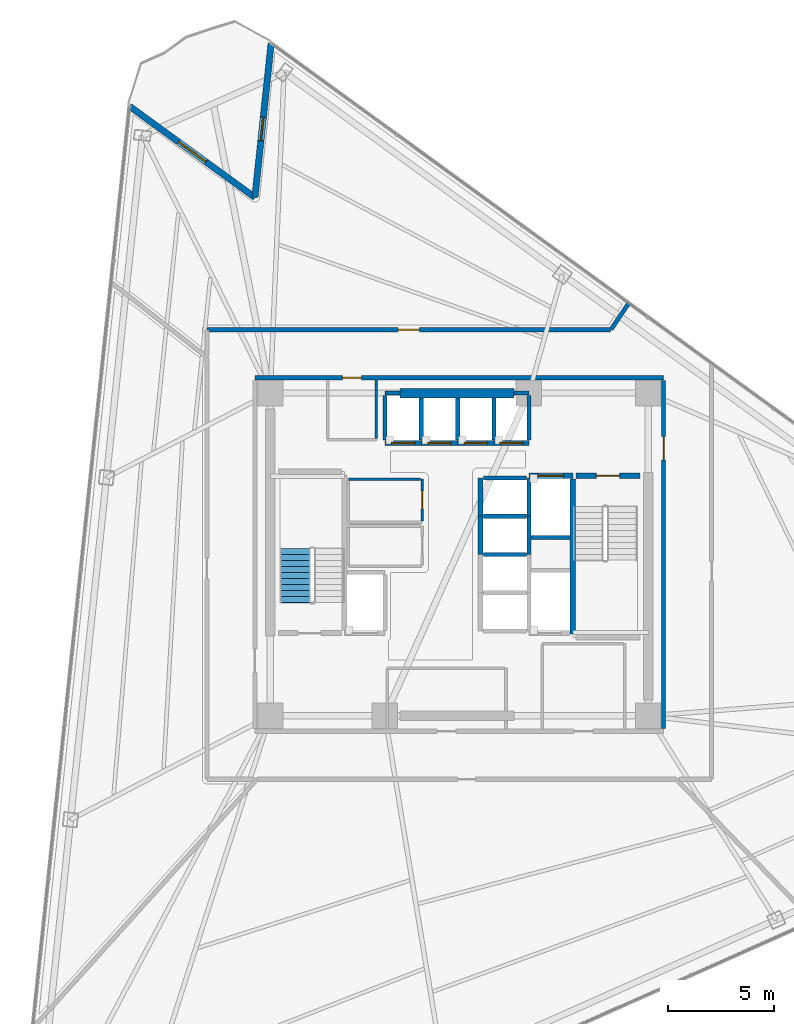
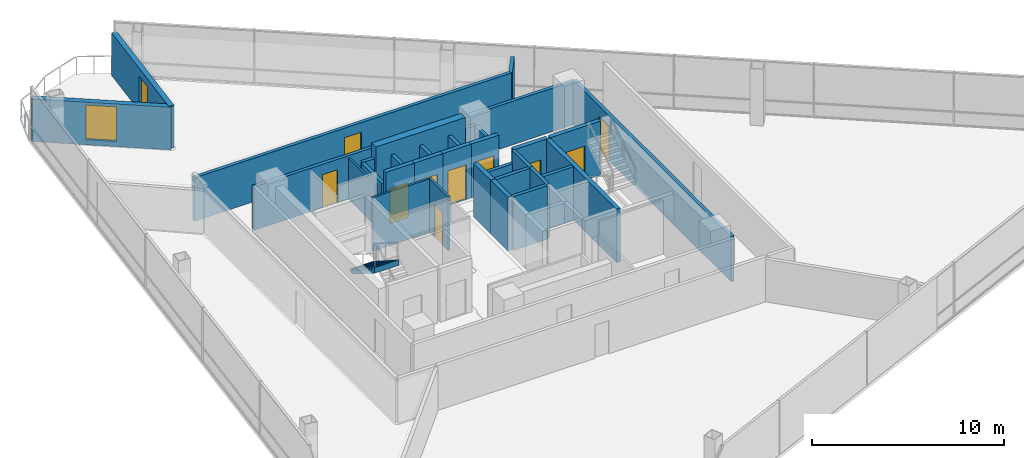
# One storey, part 12 of 16: 32 walls, 11 doors, 1 stair flight, 1 window, 12 openings, 1 element without a shape of its own.
"""IFC4 building model written with IfcOpenShell, lengths in metres."""

from ifc_helpers import new_model, si_unit, direction, frame, frame_2d, origin, place, context, subcontext, project, spatial, polyline, rectangle, outline, extrude, material, layer, layer_set, type_object, element, fill, aggregate, save


model = new_model("IFC4")

# Units and contexts
model_context = context("Model", 3, precision=1e-05, world=origin(), true_north=direction((0.0, 1.0)))
body_context = subcontext(model_context, "Body", "Model", "MODEL_VIEW")
ifc_project = project(units=[si_unit("LENGTHUNIT", "METRE"), si_unit("AREAUNIT", "SQUARE_METRE"), si_unit("VOLUMEUNIT", "CUBIC_METRE"), si_unit("PLANEANGLEUNIT", "RADIAN"), si_unit("MASSUNIT", "GRAM", prefix="KILO")], contexts=[model_context])

# Site, building, storey
site_placement = place(None, origin())
site = spatial("IfcSite", under=ifc_project, at=site_placement, CompositionType="ELEMENT")
building_placement = place(site_placement, origin())
building = spatial("IfcBuilding", under=site, at=building_placement, Name="Tharavind Bronze Gate", CompositionType="ELEMENT")
storey_placement = place(building_placement, frame((0.0, 0.0, 123.25)))
storey = spatial("IfcBuildingStorey", under=building, at=storey_placement, Name="L31", CompositionType="ELEMENT", Elevation=123.25)

# Wall, opening, door
ifc_material_1 = material(Name="Concrete C40/50", Category="concrete")
ifc_layer_1 = layer(ifc_material_1, 0.300048828125)
ifc_layer_set_1 = layer_set([ifc_layer_1], Name="Concrete C40/50")
wall_type_1 = type_object("IfcWallType", Name="EXTERIOR SPANDREL WALL 300", PredefinedType="STANDARD", material=ifc_layer_set_1)
wall_1_placement = place(storey_placement, frame((-8.85888671875, 24.07080078125, 0.0), z_axis=(0.0, 0.0, 1.0), x_axis=(-0.104512431924, -0.9945235802, 0.0)))
wall_1 = element("IfcWall", 1, at=wall_1_placement, inside=storey, type_object=wall_type_1, Name="L31 notch cheek wall 1A", PredefinedType="STANDARD", context=body_context, shape_type="SweptSolid", body=[
    extrude(rectangle(XDim=7.300048828125, YDim=0.300048828125, at=frame_2d((3.64990234375, 0.0))), origin(), (0.0, 0.0, 1.0), 2.705078125),
])
opening_1_placement = place(wall_1_placement, frame((3.508056640625, 0.0, 0.0)))
opening_1 = element("IfcOpeningElement", 2, at=opening_1_placement, cuts=wall_1, Name="Opening ED04", PredefinedType="OPENING", context=body_context, shape_type="SweptSolid", body=[
    extrude(rectangle(XDim=1.10009765625, YDim=2.199951171875, at=frame_2d((0.550048828125, 1.10009765625))), frame((0.0, 0.15990234375, 0.0), z_axis=(0.0, -1.0, 0.0), x_axis=(1.0, 0.0, 0.0)), (0.0, 0.0, 1.0), 0.320048828125),
])
ifc_material_2 = material(Name="Bronze Aluminium & Toughened Glass", Category="aluminium")
door_type_1 = type_object("IfcDoorType", Name="TREE BALCONY ACCESS DOOR 1100X2200", OperationType="SINGLE_SWING_LEFT", PredefinedType="DOOR", material=ifc_material_2)
door_1_placement = place(opening_1_placement, frame((1.10009765625, 0.0, 0.0), z_axis=(0.0, 0.0, 1.0), x_axis=(-1.0, 0.0, 0.0)))
door_1 = element("IfcDoor", 3, at=door_1_placement, inside=storey, type_object=door_type_1, Name="L31 tree balcony access door", OperationType="SINGLE_SWING_LEFT", OverallHeight=2.199951171875, OverallWidth=1.10009765625, PredefinedType="DOOR", context=body_context, shape_type="SweptSolid", body=[
    extrude(rectangle(XDim=1.10009765625, YDim=2.199951171875, at=frame_2d((0.550048828125, 1.10009765625))), frame((0.0, 0.02490234375, 0.0), z_axis=(0.0, -1.0, 0.0), x_axis=(1.0, 0.0, 0.0)), (0.0, 0.0, 1.0), 0.050048828125),
])
fill(opening_1, door_1)

# Wall, opening, window
wall_2_placement = place(storey_placement, frame((-9.621826171875, 16.810791015625, 0.0), z_axis=(0.0, 0.0, 1.0), x_axis=(-0.809002104592, 0.587805745775, 0.0)))
wall_2 = element("IfcWall", 4, at=wall_2_placement, inside=storey, type_object=wall_type_1, Name="L31 notch cheek wall 1B", PredefinedType="STANDARD", context=body_context, shape_type="SweptSolid", body=[
    extrude(rectangle(XDim=7.300048828125, YDim=0.300048828125, at=frame_2d((3.64990234375, 0.0))), origin(), (0.0, 0.0, 1.0), 2.705078125),
])
opening_2_placement = place(wall_2_placement, frame((2.85009765625, 0.0, 0.324951171875)))
opening_2 = element("IfcOpeningElement", 5, at=opening_2_placement, cuts=wall_2, Name="Opening W05", PredefinedType="OPENING", context=body_context, shape_type="SweptSolid", body=[
    extrude(rectangle(XDim=1.60009765625, YDim=2.199951171875, at=frame_2d((0.800048828125, 1.10009765625))), frame((0.0, 0.15990234375, 0.0), z_axis=(0.0, -1.0, 0.0), x_axis=(1.0, 0.0, 0.0)), (0.0, 0.0, 1.0), 0.320048828125),
])
ifc_material_3 = material(Name="Bronze Aluminium & Low-E Glass", Category="aluminium")
window_type = type_object("IfcWindowType", Name="OFFICE NOTCH BRONZE WINDOW 1600X2200", PartitioningType="DOUBLE_PANEL_VERTICAL", PredefinedType="WINDOW", material=ifc_material_3)
window_placement = place(opening_2_placement, origin())
window = element("IfcWindow", 6, at=window_placement, inside=storey, type_object=window_type, Name="L31 exterior window WL-L31-NCB1-01", OverallHeight=2.199951171875, OverallWidth=1.60009765625, PartitioningType="SINGLE_PANEL", PredefinedType="WINDOW", context=body_context, shape_type="SweptSolid", body=[
    extrude(rectangle(XDim=1.60009765625, YDim=2.199951171875, at=frame_2d((0.800048828125, 1.10009765625))), frame((0.0, 0.030029296875, 0.0), z_axis=(0.0, -1.0, 0.0), x_axis=(1.0, 0.0, 0.0)), (0.0, 0.0, 1.0), 0.06005859375),
])
fill(opening_2, window)

# Wall, opening, door
ifc_material_4 = material(Name="Aerated Concrete Block", Category="concrete")
ifc_layer_2 = layer(ifc_material_4, 0.199951171875)
ifc_layer_set_2 = layer_set([ifc_layer_2], Name="Aerated Concrete Block")
wall_type_2 = type_object("IfcWallType", Name="FIRE RATED PARTITION 200", PredefinedType="PARTITIONING", material=ifc_layer_set_2)
wall_3_placement = place(storey_placement, frame((9.6201171875, 8.320068359375, 0.0), z_axis=(0.0, 0.0, 1.0), x_axis=(-1.0, 0.0, 0.0)))
wall_3 = element("IfcWall", 7, at=wall_3_placement, inside=storey, type_object=wall_type_2, Name="L31 north core corridor wall", PredefinedType="PARTITIONING", context=body_context, shape_type="SweptSolid", body=[
    extrude(rectangle(XDim=19.240234375, YDim=0.199951171875, at=frame_2d((9.6201171875, 0.0))), origin(), (0.0, 0.0, 1.0), 2.7548828125),
])
opening_3_placement = place(wall_3_placement, frame((14.219970703125, 0.0, 0.0)))
opening_3 = element("IfcOpeningElement", 8, at=opening_3_placement, cuts=wall_3, Name="Opening ID07", PredefinedType="OPENING", context=body_context, shape_type="SweptSolid", body=[
    extrude(rectangle(XDim=0.89990234375, YDim=2.10009765625, at=frame_2d((0.449951171875, 1.050048828125))), frame((0.0, 0.11009765625, 0.0), z_axis=(0.0, -1.0, 0.0), x_axis=(1.0, 0.0, 0.0)), (0.0, 0.0, 1.0), 0.219951171875),
])
ifc_material_5 = material(Name="Galvanised Fire Steel", Category="steel")
door_type_2 = type_object("IfcDoorType", Name="PLANT AND RISER FIRE DOOR 900X2100", OperationType="SINGLE_SWING_LEFT", PredefinedType="DOOR", material=ifc_material_5)
door_2_placement = place(opening_3_placement, origin())
door_2 = element("IfcDoor", 9, at=door_2_placement, inside=storey, type_object=door_type_2, Name="L31 Electrical Switch Cupboard fire door", OperationType="SINGLE_SWING_LEFT", OverallHeight=2.10009765625, OverallWidth=0.89990234375, PredefinedType="DOOR", context=body_context, shape_type="SweptSolid", body=[
    extrude(rectangle(XDim=0.89990234375, YDim=2.10009765625, at=frame_2d((0.449951171875, 1.050048828125))), frame((0.0, 0.02490234375, 0.0), z_axis=(0.0, -1.0, 0.0), x_axis=(1.0, 0.0, 0.0)), (0.0, 0.0, 1.0), 0.050048828125),
])
fill(opening_3, door_2)

wall_4_placement = place(storey_placement, frame((9.6201171875, -8.199951171875, 0.0), z_axis=(0.0, 0.0, 1.0), x_axis=(0.0, 1.0, 0.0)))
wall_4 = element("IfcWall", 10, at=wall_4_placement, inside=storey, type_object=wall_type_2, Name="L31 east core corridor wall", PredefinedType="PARTITIONING", context=body_context, shape_type="SweptSolid", body=[
    extrude(rectangle(XDim=16.39990234375, YDim=0.199951171875, at=frame_2d((8.199951171875, 0.0))), origin(), (0.0, 0.0, 1.0), 2.85498046875),
])
opening_4_placement = place(wall_4_placement, frame((12.64990234375, 0.0, 0.0)))
opening_4 = element("IfcOpeningElement", 11, at=opening_4_placement, cuts=wall_4, Name="Opening ID01", PredefinedType="OPENING", context=body_context, shape_type="SweptSolid", body=[
    extrude(rectangle(XDim=1.10009765625, YDim=2.14990234375, at=frame_2d((0.550048828125, 1.074951171875))), frame((0.0, 0.11009765625, 0.0), z_axis=(0.0, -1.0, 0.0), x_axis=(1.0, 0.0, 0.0)), (0.0, 0.0, 1.0), 0.219951171875),
])
ifc_material_6 = material(Name="Fire-Rated Steel", Category="steel")
door_type_3 = type_object("IfcDoorType", Name="STAIR CORE FIRE DOOR 1100X2150", OperationType="SINGLE_SWING_LEFT", PredefinedType="DOOR", material=ifc_material_6)
door_3_placement = place(opening_4_placement, frame((1.10009765625, 0.0, 0.0), z_axis=(0.0, 0.0, 1.0), x_axis=(-1.0, 0.0, 0.0)))
door_3 = element("IfcDoor", 12, at=door_3_placement, inside=storey, type_object=door_type_3, Name="L31 north east stair lobby fire door", OperationType="SINGLE_SWING_LEFT", OverallHeight=2.14990234375, OverallWidth=1.10009765625, PredefinedType="DOOR", context=body_context, shape_type="SweptSolid", body=[
    extrude(rectangle(XDim=1.10009765625, YDim=2.14990234375, at=frame_2d((0.550048828125, 1.074951171875))), frame((0.0, 0.02490234375, 0.0), z_axis=(0.0, -1.0, 0.0), x_axis=(1.0, 0.0, 0.0)), (0.0, 0.0, 1.0), 0.050048828125),
])
fill(opening_4, door_3)

# Wall
wall_5_placement = place(storey_placement, frame((7.96923828125, 11.814697265625, 0.0), z_axis=(0.0, 0.0, 1.0), x_axis=(-0.559234205494, -0.829009712492, 0.0)))
element("IfcWall", 13, at=wall_5_placement, inside=storey, type_object=wall_type_2, Name="L31 Innovation Maker Lab partition", PredefinedType="PARTITIONING", context=body_context, shape_type="SweptSolid", body=[
    extrude(rectangle(XDim=1.47607421875, YDim=0.199951171875, at=frame_2d((0.738037109375, 0.0))), origin(), (0.0, 0.0, 1.0), 2.705078125),
])

# Wall, opening, door
wall_6_placement = place(storey_placement, frame((7.123046875, 10.580078125, 0.0), z_axis=(0.0, 0.0, 1.0), x_axis=(-1.0, 0.0, 0.0)))
wall_6 = element("IfcWall", 14, at=wall_6_placement, inside=storey, type_object=wall_type_2, Name="L31 Innovation Maker Lab partition", PredefinedType="PARTITIONING", context=body_context, shape_type="SweptSolid", body=[
    extrude(rectangle(XDim=19.00244140625, YDim=0.199951171875, at=frame_2d((9.501220703125, 0.0))), origin(), (0.0, 0.0, 1.0), 2.7548828125),
])
opening_5_placement = place(wall_6_placement, frame((9.0009765625, 0.0, 0.0)))
opening_5 = element("IfcOpeningElement", 15, at=opening_5_placement, cuts=wall_6, Name="Opening ID04", PredefinedType="OPENING", context=body_context, shape_type="SweptSolid", body=[
    extrude(rectangle(XDim=1.0, YDim=2.14990234375, at=frame_2d((0.5, 1.074951171875))), frame((0.0, 0.11009765625, 0.0), z_axis=(0.0, -1.0, 0.0), x_axis=(1.0, 0.0, 0.0)), (0.0, 0.0, 1.0), 0.219951171875),
])
ifc_material_7 = material(Name="Bronze Framed Acoustic Timber", Category="wood")
door_type_4 = type_object("IfcDoorType", Name="OFFICE TENANCY DOOR 1000X2150", OperationType="SINGLE_SWING_RIGHT", PredefinedType="DOOR", material=ifc_material_7)
door_4_placement = place(opening_5_placement, origin())
door_4 = element("IfcDoor", 16, at=door_4_placement, inside=storey, type_object=door_type_4, Name="L31 Innovation Maker Lab door", OperationType="SINGLE_SWING_RIGHT", OverallHeight=2.14990234375, OverallWidth=1.0, PredefinedType="DOOR", context=body_context, shape_type="SweptSolid", body=[
    extrude(rectangle(XDim=1.0, YDim=2.14990234375, at=frame_2d((0.5, 1.074951171875))), frame((0.0, 0.02490234375, 0.0), z_axis=(0.0, -1.0, 0.0), x_axis=(1.0, 0.0, 0.0)), (0.0, 0.0, 1.0), 0.050048828125),
])
fill(opening_5, door_4)

ifc_material_8 = material(Name="Metal Stud Gypsum Partition", Category="gypsum")
ifc_layer_3 = layer(ifc_material_8, 0.1201171875)
ifc_layer_set_3 = layer_set([ifc_layer_3], Name="Metal Stud Gypsum Partition")
wall_type_3 = type_object("IfcWallType", Name="INTERIOR PARTITION WALL 120", PredefinedType="PARTITIONING", material=ifc_layer_set_3)
wall_7_placement = place(storey_placement, frame((-1.75, 1.5849609375, 0.0), z_axis=(0.0, 0.0, 1.0), x_axis=(0.0, 1.0, 0.0)))
wall_7 = element("IfcWall", 17, at=wall_7_placement, inside=storey, type_object=wall_type_3, Name="L31 Cleaner Store Room partition 2", PredefinedType="PARTITIONING", context=body_context, shape_type="SweptSolid", body=[
    extrude(rectangle(XDim=1.965087890625, YDim=0.1201171875, at=frame_2d((0.982421875, 0.0))), origin(), (0.0, 0.0, 1.0), 3.409912109375),
])
opening_6_placement = place(wall_7_placement, frame((0.556884765625, 0.0, 0.0)))
opening_6 = element("IfcOpeningElement", 18, at=opening_6_placement, cuts=wall_7, Name="Opening ID06", PredefinedType="OPENING", context=body_context, shape_type="SweptSolid", body=[
    extrude(rectangle(XDim=0.85009765625, YDim=2.10009765625, at=frame_2d((0.425048828125, 1.050048828125))), frame((0.0, 0.07005859375, 0.0), z_axis=(0.0, -1.0, 0.0), x_axis=(1.0, 0.0, 0.0)), (0.0, 0.0, 1.0), 0.1401171875),
])
ifc_material_9 = material(Name="Moisture-Resistant Timber", Category="wood")
door_type_5 = type_object("IfcDoorType", Name="BATHROOM PRIVACY DOOR 850X2100", OperationType="SINGLE_SWING_RIGHT", PredefinedType="DOOR", material=ifc_material_9)
door_5_placement = place(opening_6_placement, frame((0.85009765625, 0.0, 0.0), z_axis=(0.0, 0.0, 1.0), x_axis=(-1.0, 0.0, 0.0)))
door_5 = element("IfcDoor", 19, at=door_5_placement, inside=storey, type_object=door_type_5, Name="L31 Cleaner Store Room door", OperationType="SINGLE_SWING_RIGHT", OverallHeight=2.10009765625, OverallWidth=0.85009765625, PredefinedType="DOOR", context=body_context, shape_type="SweptSolid", body=[
    extrude(rectangle(XDim=0.85009765625, YDim=2.10009765625, at=frame_2d((0.425048828125, 1.050048828125))), frame((0.0, 0.02490234375, 0.0), z_axis=(0.0, -1.0, 0.0), x_axis=(1.0, 0.0, 0.0)), (0.0, 0.0, 1.0), 0.050048828125),
])
fill(opening_6, door_5)

# Walls
wall_8_placement = place(storey_placement, frame((-1.81494140625, 3.550048828125, 0.0), z_axis=(0.0, 0.0, 1.0), x_axis=(-1.0, 0.0, 0.0)))
element("IfcWall", 20, at=wall_8_placement, inside=storey, type_object=wall_type_3, Name="L31 Cleaner Store Room partition 3", PredefinedType="PARTITIONING", context=body_context, shape_type="SweptSolid", body=[
    extrude(rectangle(XDim=3.405029296875, YDim=0.1201171875, at=frame_2d((1.70263671875, 0.0))), origin(), (0.0, 0.0, 1.0), 3.409912109375),
])
wall_9_placement = place(storey_placement, frame((-3.89990234375, 5.465087890625, 0.0), z_axis=(0.0, 0.0, 1.0), x_axis=(0.0, 1.0, 0.0)))
element("IfcWall", 21, at=wall_9_placement, inside=storey, type_object=wall_type_3, Name="L31 Electrical Switch Cupboard partition 2", PredefinedType="PARTITIONING", context=body_context, shape_type="SweptSolid", body=[
    extrude(rectangle(XDim=2.75, YDim=0.1201171875, at=frame_2d((1.375, 0.0))), origin(), (0.0, 0.0, 1.0), 2.60498046875),
])
ifc_material_10 = material(Name="Concrete C50/60", Category="concrete")
ifc_layer_4 = layer(ifc_material_10, 0.25)
ifc_layer_set_4 = layer_set([ifc_layer_4], Name="Concrete C50/60")
wall_type_4 = type_object("IfcWallType", Name="RC CORE SHEAR WALL 250", PredefinedType="SHEAR", material=ifc_layer_set_4)
wall_10_placement = place(storey_placement, frame((5.35009765625, -3.75, 0.0), z_axis=(0.0, 0.0, 1.0), x_axis=(0.0, 1.0, 0.0)))
element("IfcWall", 22, at=wall_10_placement, inside=storey, type_object=wall_type_4, Name="L31 ST2 shaft west wall", PredefinedType="SHEAR", context=body_context, shape_type="SweptSolid", body=[
    extrude(rectangle(XDim=7.300048828125, YDim=0.25, at=frame_2d((3.64990234375, 0.0))), origin(), (0.0, 0.0, 1.0), 3.409912109375),
])

# Wall, opening, door
wall_11_placement = place(storey_placement, frame((5.5, 3.699951171875, 0.0), z_axis=(0.0, 0.0, 1.0), x_axis=(1.0, 0.0, 0.0)))
wall_11 = element("IfcWall", 23, at=wall_11_placement, inside=storey, type_object=wall_type_4, Name="L31 ST2 shaft north wall", PredefinedType="SHEAR", context=body_context, shape_type="SweptSolid", body=[
    extrude(rectangle(XDim=3.0, YDim=0.25, at=frame_2d((1.5, 0.0))), origin(), (0.0, 0.0, 1.0), 3.409912109375),
])
opening_7_placement = place(wall_11_placement, frame((0.949951171875, 0.0, 0.0)))
opening_7 = element("IfcOpeningElement", 24, at=opening_7_placement, cuts=wall_11, Name="Opening ID01", PredefinedType="OPENING", context=body_context, shape_type="SweptSolid", body=[
    extrude(rectangle(XDim=1.10009765625, YDim=2.14990234375, at=frame_2d((0.550048828125, 1.074951171875))), frame((0.0, 0.135, 0.0), z_axis=(0.0, -1.0, 0.0), x_axis=(1.0, 0.0, 0.0)), (0.0, 0.0, 1.0), 0.27),
])
door_6_placement = place(opening_7_placement, frame((1.10009765625, 0.0, 0.0), z_axis=(0.0, 0.0, 1.0), x_axis=(-1.0, 0.0, 0.0)))
door_6 = element("IfcDoor", 25, at=door_6_placement, inside=storey, type_object=door_type_3, Name="L31 exit stair ST2 fire door", OperationType="SINGLE_SWING_LEFT", OverallHeight=2.14990234375, OverallWidth=1.10009765625, PredefinedType="DOOR", context=body_context, shape_type="SweptSolid", body=[
    extrude(rectangle(XDim=1.10009765625, YDim=2.14990234375, at=frame_2d((0.550048828125, 1.074951171875))), frame((0.0, 0.02490234375, 0.0), z_axis=(0.0, -1.0, 0.0), x_axis=(1.0, 0.0, 0.0)), (0.0, 0.0, 1.0), 0.050048828125),
])
fill(opening_7, door_6)

wall_12_placement = place(storey_placement, frame((-3.5, 5.25, 0.0), z_axis=(0.0, 0.0, 1.0), x_axis=(1.0, 0.0, 0.0)))
wall_12 = element("IfcWall", 26, at=wall_12_placement, inside=storey, type_object=wall_type_4, Name="L31 lift PL5 shaft front wall", PredefinedType="SHEAR", context=body_context, shape_type="SweptSolid", body=[
    extrude(rectangle(XDim=1.71240234375, YDim=0.25, at=frame_2d((0.856201171875, 0.0))), origin(), (0.0, 0.0, 1.0), 3.409912109375),
])
opening_8_placement = place(wall_12_placement, frame((0.305908203125, 0.0, 0.0)))
opening_8 = element("IfcOpeningElement", 27, at=opening_8_placement, cuts=wall_12, Name="Opening LD01", PredefinedType="OPENING", context=body_context, shape_type="SweptSolid", body=[
    extrude(rectangle(XDim=1.10009765625, YDim=2.199951171875, at=frame_2d((0.550048828125, 1.10009765625))), frame((0.0, 0.135, 0.0), z_axis=(0.0, -1.0, 0.0), x_axis=(1.0, 0.0, 0.0)), (0.0, 0.0, 1.0), 0.27),
])
ifc_material_11 = material(Name="Brushed Bronze Stainless Steel", Category="steel")
door_type_6 = type_object("IfcDoorType", Name="LIFT LANDING SLIDING DOOR 1100X2200", OperationType="SLIDING_TO_LEFT", PredefinedType="DOOR", material=ifc_material_11)
door_7_placement = place(opening_8_placement, origin())
door_7 = element("IfcDoor", 28, at=door_7_placement, inside=storey, type_object=door_type_6, Name="L31 lift PL5 sliding landing door", OperationType="SLIDING_TO_LEFT", OverallHeight=2.199951171875, OverallWidth=1.10009765625, PredefinedType="DOOR", context=body_context, shape_type="SweptSolid", body=[
    extrude(rectangle(XDim=1.10009765625, YDim=2.199951171875, at=frame_2d((0.550048828125, 1.10009765625))), frame((0.0, 0.02490234375, 0.0), z_axis=(0.0, -1.0, 0.0), x_axis=(1.0, 0.0, 0.0)), (0.0, 0.0, 1.0), 0.050048828125),
])
fill(opening_8, door_7)

wall_13_placement = place(storey_placement, frame((-1.78759765625, 5.25, 0.0), z_axis=(0.0, 0.0, 1.0), x_axis=(1.0, 0.0, 0.0)))
wall_13 = element("IfcWall", 29, at=wall_13_placement, inside=storey, type_object=wall_type_4, Name="L31 lift PL6 shaft front wall", PredefinedType="SHEAR", context=body_context, shape_type="SweptSolid", body=[
    extrude(rectangle(XDim=1.712646484375, YDim=0.25, at=frame_2d((0.8564453125, 0.0))), origin(), (0.0, 0.0, 1.0), 3.409912109375),
])
opening_9_placement = place(wall_13_placement, frame((0.305908203125, 0.0, 0.0)))
opening_9 = element("IfcOpeningElement", 30, at=opening_9_placement, cuts=wall_13, Name="Opening LD01", PredefinedType="OPENING", context=body_context, shape_type="SweptSolid", body=[
    extrude(rectangle(XDim=1.10009765625, YDim=2.199951171875, at=frame_2d((0.550048828125, 1.10009765625))), frame((0.0, 0.135, 0.0), z_axis=(0.0, -1.0, 0.0), x_axis=(1.0, 0.0, 0.0)), (0.0, 0.0, 1.0), 0.27),
])
door_8_placement = place(opening_9_placement, origin())
door_8 = element("IfcDoor", 31, at=door_8_placement, inside=storey, type_object=door_type_6, Name="L31 lift PL6 sliding landing door", OperationType="SLIDING_TO_LEFT", OverallHeight=2.199951171875, OverallWidth=1.10009765625, PredefinedType="DOOR", context=body_context, shape_type="SweptSolid", body=[
    extrude(rectangle(XDim=1.10009765625, YDim=2.199951171875, at=frame_2d((0.550048828125, 1.10009765625))), frame((0.0, 0.02490234375, 0.0), z_axis=(0.0, -1.0, 0.0), x_axis=(1.0, 0.0, 0.0)), (0.0, 0.0, 1.0), 0.050048828125),
])
fill(opening_9, door_8)

wall_14_placement = place(storey_placement, frame((-0.074951171875, 5.25, 0.0), z_axis=(0.0, 0.0, 1.0), x_axis=(1.0, 0.0, 0.0)))
wall_14 = element("IfcWall", 32, at=wall_14_placement, inside=storey, type_object=wall_type_4, Name="L31 lift PL7 shaft front wall", PredefinedType="SHEAR", context=body_context, shape_type="SweptSolid", body=[
    extrude(rectangle(XDim=1.71240234375, YDim=0.25, at=frame_2d((0.856201171875, 0.0))), origin(), (0.0, 0.0, 1.0), 3.409912109375),
])
opening_10_placement = place(wall_14_placement, frame((0.305908203125, 0.0, 0.0)))
opening_10 = element("IfcOpeningElement", 33, at=opening_10_placement, cuts=wall_14, Name="Opening LD01", PredefinedType="OPENING", context=body_context, shape_type="SweptSolid", body=[
    extrude(rectangle(XDim=1.10009765625, YDim=2.199951171875, at=frame_2d((0.550048828125, 1.10009765625))), frame((0.0, 0.135, 0.0), z_axis=(0.0, -1.0, 0.0), x_axis=(1.0, 0.0, 0.0)), (0.0, 0.0, 1.0), 0.27),
])
door_9_placement = place(opening_10_placement, origin())
door_9 = element("IfcDoor", 34, at=door_9_placement, inside=storey, type_object=door_type_6, Name="L31 lift PL7 sliding landing door", OperationType="SLIDING_TO_LEFT", OverallHeight=2.199951171875, OverallWidth=1.10009765625, PredefinedType="DOOR", context=body_context, shape_type="SweptSolid", body=[
    extrude(rectangle(XDim=1.10009765625, YDim=2.199951171875, at=frame_2d((0.550048828125, 1.10009765625))), frame((0.0, 0.02490234375, 0.0), z_axis=(0.0, -1.0, 0.0), x_axis=(1.0, 0.0, 0.0)), (0.0, 0.0, 1.0), 0.050048828125),
])
fill(opening_10, door_9)

wall_15_placement = place(storey_placement, frame((1.637451171875, 5.25, 0.0), z_axis=(0.0, 0.0, 1.0), x_axis=(1.0, 0.0, 0.0)))
wall_15 = element("IfcWall", 35, at=wall_15_placement, inside=storey, type_object=wall_type_4, Name="L31 lift PL8 shaft front wall", PredefinedType="SHEAR", context=body_context, shape_type="SweptSolid", body=[
    extrude(rectangle(XDim=1.642578125, YDim=0.25, at=frame_2d((0.8212890625, 0.0))), origin(), (0.0, 0.0, 1.0), 3.409912109375),
])
opening_11_placement = place(wall_15_placement, frame((0.27099609375, 0.0, 0.0)))
opening_11 = element("IfcOpeningElement", 36, at=opening_11_placement, cuts=wall_15, Name="Opening LD01", PredefinedType="OPENING", context=body_context, shape_type="SweptSolid", body=[
    extrude(rectangle(XDim=1.10009765625, YDim=2.199951171875, at=frame_2d((0.550048828125, 1.10009765625))), frame((0.0, 0.135, 0.0), z_axis=(0.0, -1.0, 0.0), x_axis=(1.0, 0.0, 0.0)), (0.0, 0.0, 1.0), 0.27),
])
door_10_placement = place(opening_11_placement, origin())
door_10 = element("IfcDoor", 37, at=door_10_placement, inside=storey, type_object=door_type_6, Name="L31 lift PL8 sliding landing door", OperationType="SLIDING_TO_LEFT", OverallHeight=2.199951171875, OverallWidth=1.10009765625, PredefinedType="DOOR", context=body_context, shape_type="SweptSolid", body=[
    extrude(rectangle(XDim=1.10009765625, YDim=2.199951171875, at=frame_2d((0.550048828125, 1.10009765625))), frame((0.0, 0.02490234375, 0.0), z_axis=(0.0, -1.0, 0.0), x_axis=(1.0, 0.0, 0.0)), (0.0, 0.0, 1.0), 0.050048828125),
])
fill(opening_11, door_10)

# Walls
for number, where, z_axis, x_axis, name in (
    (38, (1.0, 0.0, 0.0), (0.0, 0.0, 1.0), (0.0, 1.0, 0.0), "L31 lift PL11 shaft front wall"),
    (39, (1.0, 1.800048828125, 0.0), (0.0, 0.0, 1.0), (0.0, 1.0, 0.0), "L31 lift PL12 shaft front wall"),
):
    element("IfcWall", number, at=place(storey_placement, frame(where, z_axis=z_axis, x_axis=x_axis)), inside=storey, type_object=wall_type_4, Name=name, PredefinedType="SHEAR", context=body_context, shape_type="SweptSolid", body=[
        extrude(rectangle(XDim=1.800048828125, YDim=0.25, at=frame_2d((0.89990234375, 0.0))), origin(), (0.0, 0.0, 1.0), 3.409912109375),
    ])

# Wall, opening, door
wall_16_placement = place(storey_placement, frame((3.280029296875, 3.699951171875, 0.0), z_axis=(0.0, 0.0, 1.0), x_axis=(1.0, 0.0, 0.0)))
wall_16 = element("IfcWall", 40, at=wall_16_placement, inside=storey, type_object=wall_type_4, Name="L31 lift FFL2 shaft front wall", PredefinedType="SHEAR", context=body_context, shape_type="SweptSolid", body=[
    extrude(rectangle(XDim=2.070068359375, YDim=0.25, at=frame_2d((1.03515625, 0.0))), origin(), (0.0, 0.0, 1.0), 3.409912109375),
])
opening_12_placement = place(wall_16_placement, frame((0.43505859375, 0.0, 0.0)))
opening_12 = element("IfcOpeningElement", 41, at=opening_12_placement, cuts=wall_16, Name="Opening LD02", PredefinedType="OPENING", context=body_context, shape_type="SweptSolid", body=[
    extrude(rectangle(XDim=1.199951171875, YDim=2.199951171875, at=frame_2d((0.60009765625, 1.10009765625))), frame((0.0, 0.135, 0.0), z_axis=(0.0, -1.0, 0.0), x_axis=(1.0, 0.0, 0.0)), (0.0, 0.0, 1.0), 0.27),
])
ifc_material_12 = material(Name="Brushed Stainless Steel", Category="steel")
door_type_7 = type_object("IfcDoorType", Name="FIREFIGHTING LIFT LANDING DOOR 1200X2200", OperationType="SLIDING_TO_RIGHT", PredefinedType="DOOR", material=ifc_material_12)
door_11_placement = place(opening_12_placement, origin())
door_11 = element("IfcDoor", 42, at=door_11_placement, inside=storey, type_object=door_type_7, Name="L31 lift FFL2 sliding landing door", OperationType="SLIDING_TO_RIGHT", OverallHeight=2.199951171875, OverallWidth=1.199951171875, PredefinedType="DOOR", context=body_context, shape_type="SweptSolid", body=[
    extrude(rectangle(XDim=1.199951171875, YDim=2.199951171875, at=frame_2d((0.60009765625, 1.10009765625))), frame((0.0, 0.02490234375, 0.0), z_axis=(0.0, -1.0, 0.0), x_axis=(1.0, 0.0, 0.0)), (0.0, 0.0, 1.0), 0.050048828125),
])
fill(opening_12, door_11)

# Walls
ifc_material_13 = material(Name="Concrete C60/75", Category="concrete")
ifc_layer_5 = layer(ifc_material_13, 0.449951171875)
ifc_layer_set_5 = layer_set([ifc_layer_5], Name="Concrete C60/75")
wall_type_5 = type_object("IfcWallType", Name="RC CORE SHEAR WALL 450", PredefinedType="SHEAR", material=ifc_layer_set_5)
wall_17_placement = place(storey_placement, frame((-2.800048828125, 7.60009765625, 0.0), z_axis=(0.0, 0.0, 1.0), x_axis=(1.0, 0.0, 0.0)))
element("IfcWall", 43, at=wall_17_placement, inside=storey, type_object=wall_type_5, Name="L31 north core shear wall", PredefinedType="SHEAR", context=body_context, shape_type="SweptSolid", body=[
    extrude(rectangle(XDim=5.380126953125, YDim=0.449951171875, at=frame_2d((2.68994140625, 0.0))), origin(), (0.0, 0.0, 1.0), 3.409912109375),
])
ifc_layer_6 = layer(ifc_material_1, 0.199951171875)
ifc_layer_set_6 = layer_set([ifc_layer_6], Name="Concrete C40/50")
wall_type_6 = type_object("IfcWallType", Name="SHAFT ENCLOSURE WALL 200", PredefinedType="PARTITIONING", material=ifc_layer_set_6)
wall_18_placement = place(storey_placement, frame((-3.5, 7.60009765625, 0.0), z_axis=(0.0, 0.0, 1.0), x_axis=(1.0, 0.0, 0.0)))
element("IfcWall", 44, at=wall_18_placement, inside=storey, type_object=wall_type_6, Name="L31 lift PL5 shaft N enclosure wall", PredefinedType="PARTITIONING", context=body_context, shape_type="SweptSolid", body=[
    extrude(rectangle(XDim=0.699951171875, YDim=0.199951171875, at=frame_2d((0.35009765625, 0.0))), origin(), (0.0, 0.0, 1.0), 2.60498046875),
])
wall_19_placement = place(storey_placement, frame((-3.5, 5.3798828125, 0.0), z_axis=(0.0, 0.0, 1.0), x_axis=(0.0, 1.0, 0.0)))
element("IfcWall", 45, at=wall_19_placement, inside=storey, type_object=wall_type_6, Name="L31 lift PL5 shaft W enclosure wall", PredefinedType="PARTITIONING", context=body_context, shape_type="SweptSolid", body=[
    extrude(rectangle(XDim=2.115234375, YDim=0.199951171875, at=frame_2d((1.0576171875, 0.0))), origin(), (0.0, 0.0, 1.0), 2.60498046875),
])
for number, where, z_axis, x_axis, name in (
    (46, (-1.78759765625, 5.3798828125, 0.0), (0.0, 0.0, 1.0), (0.0, 1.0, 0.0), "L31 lift PL5 shaft E enclosure wall"),
    (47, (-0.074951171875, 5.3798828125, 0.0), (0.0, 0.0, 1.0), (0.0, 1.0, 0.0), "L31 lift PL6 shaft E enclosure wall"),
    (48, (1.637451171875, 5.3798828125, 0.0), (0.0, 0.0, 1.0), (0.0, 1.0, 0.0), "L31 lift PL7 shaft E enclosure wall"),
):
    element("IfcWall", number, at=place(storey_placement, frame(where, z_axis=z_axis, x_axis=x_axis)), inside=storey, type_object=wall_type_6, Name=name, PredefinedType="PARTITIONING", context=body_context, shape_type="SweptSolid", body=[
        extrude(rectangle(XDim=1.990234375, YDim=0.199951171875, at=frame_2d((0.9951171875, 0.0))), origin(), (0.0, 0.0, 1.0), 2.60498046875),
    ])
wall_20_placement = place(storey_placement, frame((2.580078125, 7.60009765625, 0.0), z_axis=(0.0, 0.0, 1.0), x_axis=(1.0, 0.0, 0.0)))
element("IfcWall", 49, at=wall_20_placement, inside=storey, type_object=wall_type_6, Name="L31 lift PL8 shaft N enclosure wall", PredefinedType="PARTITIONING", context=body_context, shape_type="SweptSolid", body=[
    extrude(rectangle(XDim=0.699951171875, YDim=0.199951171875, at=frame_2d((0.35009765625, 0.0))), origin(), (0.0, 0.0, 1.0), 2.60498046875),
])
wall_21_placement = place(storey_placement, frame((3.280029296875, 5.3798828125, 0.0), z_axis=(0.0, 0.0, 1.0), x_axis=(0.0, 1.0, 0.0)))
element("IfcWall", 50, at=wall_21_placement, inside=storey, type_object=wall_type_6, Name="L31 lift PL8 shaft E enclosure wall", PredefinedType="PARTITIONING", context=body_context, shape_type="SweptSolid", body=[
    extrude(rectangle(XDim=2.115234375, YDim=0.199951171875, at=frame_2d((1.0576171875, 0.0))), origin(), (0.0, 0.0, 1.0), 2.60498046875),
])
wall_22_placement = place(storey_placement, frame((1.1298828125, 0.0, 0.0), z_axis=(0.0, 0.0, 1.0), x_axis=(1.0, 0.0, 0.0)))
element("IfcWall", 51, at=wall_22_placement, inside=storey, type_object=wall_type_6, Name="L31 lift PL10 shaft N enclosure wall", PredefinedType="PARTITIONING", context=body_context, shape_type="SweptSolid", body=[
    extrude(rectangle(XDim=2.045166015625, YDim=0.199951171875, at=frame_2d((1.0224609375, 0.0))), origin(), (0.0, 0.0, 1.0), 3.409912109375),
])
wall_23_placement = place(storey_placement, frame((3.280029296875, 0.0, 0.0), z_axis=(0.0, 0.0, 1.0), x_axis=(0.0, 1.0, 0.0)))
element("IfcWall", 52, at=wall_23_placement, inside=storey, type_object=wall_type_6, Name="L31 lift PL11 shaft E enclosure wall", PredefinedType="PARTITIONING", context=body_context, shape_type="SweptSolid", body=[
    extrude(rectangle(XDim=1.800048828125, YDim=0.199951171875, at=frame_2d((0.89990234375, 0.0))), origin(), (0.0, 0.0, 1.0), 3.409912109375),
])
wall_24_placement = place(storey_placement, frame((1.1298828125, 1.800048828125, 0.0), z_axis=(0.0, 0.0, 1.0), x_axis=(1.0, 0.0, 0.0)))
element("IfcWall", 53, at=wall_24_placement, inside=storey, type_object=wall_type_6, Name="L31 lift PL11 shaft N enclosure wall", PredefinedType="PARTITIONING", context=body_context, shape_type="SweptSolid", body=[
    extrude(rectangle(XDim=2.045166015625, YDim=0.199951171875, at=frame_2d((1.0224609375, 0.0))), origin(), (0.0, 0.0, 1.0), 3.409912109375),
])
wall_25_placement = place(storey_placement, frame((3.280029296875, 1.800048828125, 0.0), z_axis=(0.0, 0.0, 1.0), x_axis=(0.0, 1.0, 0.0)))
element("IfcWall", 54, at=wall_25_placement, inside=storey, type_object=wall_type_6, Name="L31 lift PL12 shaft E enclosure wall", PredefinedType="PARTITIONING", context=body_context, shape_type="SweptSolid", body=[
    extrude(rectangle(XDim=1.800048828125, YDim=0.199951171875, at=frame_2d((0.89990234375, 0.0))), origin(), (0.0, 0.0, 1.0), 3.409912109375),
])
wall_26_placement = place(storey_placement, frame((1.1298828125, 3.60009765625, 0.0), z_axis=(0.0, 0.0, 1.0), x_axis=(1.0, 0.0, 0.0)))
element("IfcWall", 55, at=wall_26_placement, inside=storey, type_object=wall_type_6, Name="L31 lift PL12 shaft N enclosure wall", PredefinedType="PARTITIONING", context=body_context, shape_type="SweptSolid", body=[
    extrude(rectangle(XDim=2.045166015625, YDim=0.199951171875, at=frame_2d((1.0224609375, 0.0))), origin(), (0.0, 0.0, 1.0), 2.60498046875),
])
wall_27_placement = place(storey_placement, frame((3.385009765625, 0.800048828125, 0.0), z_axis=(0.0, 0.0, 1.0), x_axis=(1.0, 0.0, 0.0)))
element("IfcWall", 56, at=wall_27_placement, inside=storey, type_object=wall_type_6, Name="L31 lift FFL2 shaft S enclosure wall", PredefinedType="PARTITIONING", context=body_context, shape_type="SweptSolid", body=[
    extrude(rectangle(XDim=1.8349609375, YDim=0.199951171875, at=frame_2d((0.91748046875, 0.0))), origin(), (0.0, 0.0, 1.0), 3.409912109375),
])

# Stair, stair flight
stair_type = type_object("IfcStairType", Name="CORE HALF TURN STAIR 1450", PredefinedType="HALF_TURN_STAIR", material=ifc_material_1)
stair_placement = place(storey_placement, origin())
stair = element("IfcStair", 57, at=stair_placement, inside=storey, type_object=stair_type, Name="L31 Protected Exit Stair ST1", PredefinedType="HALF_TURN_STAIR")
stair_flight_type = type_object("IfcStairFlightType", Name="CORE STAIR FLIGHT 1450", PredefinedType="STRAIGHT", material=ifc_material_1)
stair_flight_placement = place(storey_placement, frame((-7.72509765625, 0.27001953125, 1.800048828125), z_axis=(0.0, 0.0, 1.0), x_axis=(0.0, -1.0, 0.0)))
stair_flight = element("IfcStairFlight", 58, at=stair_flight_placement, type_object=stair_flight_type, Name="ST1 flight 2", NumberOfRisers=10, NumberOfTreads=9, PredefinedType="STRAIGHT", RiserHeight=0.18, TreadLength=0.28, context=body_context, shape_type="SweptSolid", body=[
    extrude(outline(polyline([(0.0, 0.0), (0.0, 0.179931640625), (0.280029296875, 0.179931640625), (0.280029296875, 0.360107421875), (0.56005859375, 0.360107421875), (0.56005859375, 0.5400390625), (0.840087890625, 0.5400390625), (0.840087890625, 0.719970703125), (1.1201171875, 0.719970703125), (1.1201171875, 0.89990234375), (1.39990234375, 0.89990234375), (1.39990234375, 1.080078125), (1.679931640625, 1.080078125), (1.679931640625, 1.260009765625), (1.9599609375, 1.260009765625), (1.9599609375, 1.43994140625), (2.239990234375, 1.43994140625), (2.239990234375, 1.6201171875), (2.52001953125, 1.6201171875), (2.52001953125, 1.800048828125), (2.555908203125, 1.800048828125), (2.555908203125, 1.44189453125), (0.277099609375, 0.0), (0.0, 0.0)])), frame((0.0, 0.72509765625, 0.0), z_axis=(0.0, -1.0, 0.0), x_axis=(1.0, 0.0, 0.0)), (0.0, 0.0, 1.0), 1.449951171875),
])
aggregate(stair, [stair_flight])

save(model, "model.ifc")
